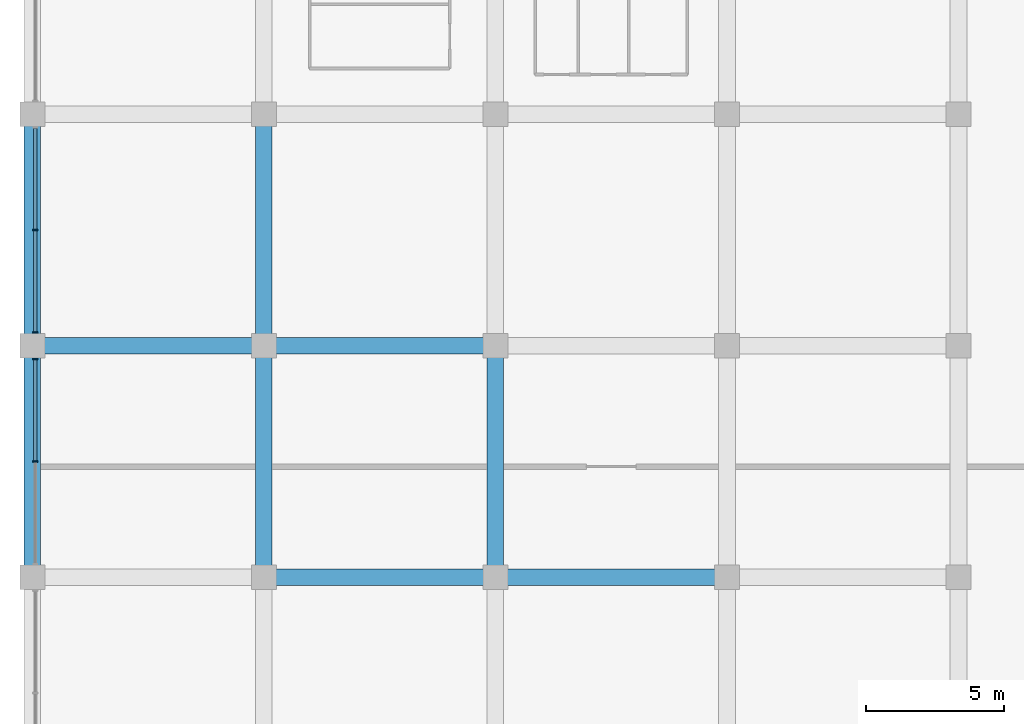
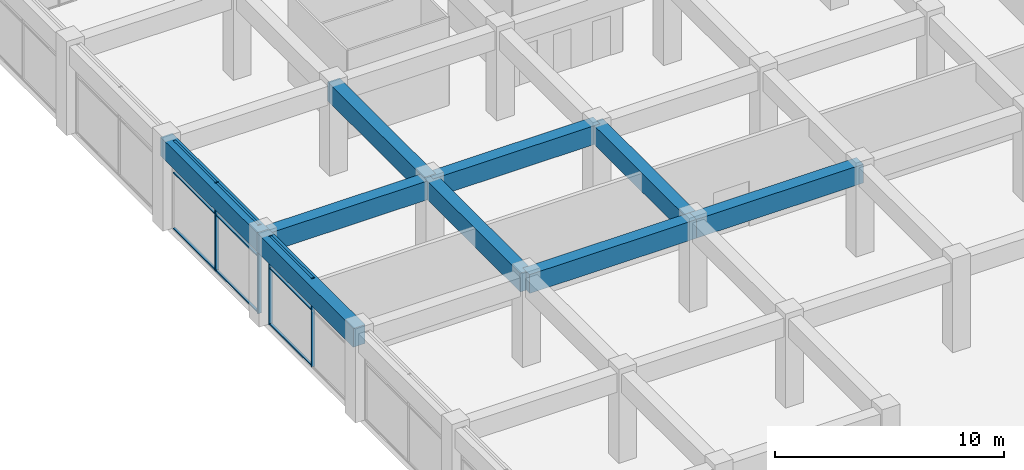
# One storey, part 9 of 34: 13 members, 9 beams, 2 elements without a shape of their own.
"""IFC4 building model written with IfcOpenShell, lengths in metres."""

from ifc_helpers import new_model, si_unit, direction, frame, origin, origin_2d, place, context, subcontext, project, spatial, rectangle, extrude, material, material_profile, profile_set, type_object, element, aggregate, save


model = new_model("IFC4")

# Units and contexts
model_context = context("Model", 3, precision=1e-05, world=origin(), true_north=direction((0.0, 1.0)))
body_context = subcontext(model_context, "Body", "Model", "MODEL_VIEW")
ifc_project = project(units=[si_unit("LENGTHUNIT", "METRE"), si_unit("AREAUNIT", "SQUARE_METRE"), si_unit("VOLUMEUNIT", "CUBIC_METRE"), si_unit("PLANEANGLEUNIT", "RADIAN"), si_unit("MASSUNIT", "GRAM", prefix="KILO")], contexts=[model_context])

# Site, building, storey
site_placement = place(None, origin())
site = spatial("IfcSite", under=ifc_project, at=site_placement, CompositionType="ELEMENT")
building_placement = place(site_placement, origin())
building = spatial("IfcBuilding", under=site, at=building_placement, Name="Impinga Residences", CompositionType="ELEMENT")
storey_placement = place(building_placement, frame((0.0, 0.0, 11.0)))
storey = spatial("IfcBuildingStorey", under=building, at=storey_placement, Name="L02", CompositionType="ELEMENT", Elevation=11.0)

# Curtain wall, members
ifc_material_1 = material(Name="Aluminium stick curtain wall", Category="aluminium")
curtain_wall_type = type_object("IfcCurtainWallType", Name="CW1 podium amenity curtain wall", PredefinedType="USERDEFINED", material=ifc_material_1)
curtain_wall_1_placement = place(storey_placement, origin())
curtain_wall_1 = element("IfcCurtainWall", 1, at=curtain_wall_1_placement, inside=storey, type_object=curtain_wall_type, Name="Curtain wall CW1 L02", ObjectType="STICK CURTAIN WALL", PredefinedType="USERDEFINED")
ifc_material_2 = material(Name="Aluminium mullion", Category="aluminium")
ifc_material_profile_1 = material_profile(ifc_material_2, rectangle(XDim=0.06005859375, YDim=0.179931640625, at=origin_2d()), Name="60x180 mullion")
ifc_profile_set_1 = profile_set([ifc_material_profile_1], Name="Aluminium mullion")
member_type_1 = type_object("IfcMemberType", Name="CW1-M mullion 60x180", PredefinedType="MULLION", material=ifc_profile_set_1)
member_1_placement = place(storey_placement, frame((-50.300048828125, 21.0, 0.0), z_axis=(0.0, 0.0, 1.0), x_axis=(0.0, 1.0, 0.0)))
member_1 = element("IfcMember", 2, at=member_1_placement, type_object=member_type_1, Name="CW1 mullion 2", PredefinedType="MULLION", context=body_context, shape_type="SweptSolid", body=[
    extrude(rectangle(XDim=0.06005859375, YDim=0.179931640625, at=origin_2d()), origin(), (0.0, 0.0, 1.0), 4.699951171875),
])
member_2_placement = place(storey_placement, frame((-50.300048828125, 24.717041015625, 0.0), z_axis=(0.0, 0.0, 1.0), x_axis=(0.0, 1.0, 0.0)))
member_2 = element("IfcMember", 3, at=member_2_placement, type_object=member_type_1, Name="CW1 mullion 3", PredefinedType="MULLION", context=body_context, shape_type="SweptSolid", body=[
    extrude(rectangle(XDim=0.06005859375, YDim=0.179931640625, at=origin_2d()), origin(), (0.0, 0.0, 1.0), 4.699951171875),
])

curtain_wall_2_placement = place(storey_placement, origin())
curtain_wall_2 = element("IfcCurtainWall", 4, at=curtain_wall_2_placement, inside=storey, type_object=curtain_wall_type, Name="Curtain wall CW1 L02", ObjectType="STICK CURTAIN WALL", PredefinedType="USERDEFINED")
member_3_placement = place(storey_placement, frame((-50.300048828125, 25.68310546875, 0.0), z_axis=(0.0, 0.0, 1.0), x_axis=(0.0, 1.0, 0.0)))
member_3 = element("IfcMember", 5, at=member_3_placement, type_object=member_type_1, Name="CW1 mullion 1", PredefinedType="MULLION", context=body_context, shape_type="SweptSolid", body=[
    extrude(rectangle(XDim=0.06005859375, YDim=0.179931640625, at=origin_2d()), origin(), (0.0, 0.0, 1.0), 4.699951171875),
])
member_4_placement = place(storey_placement, frame((-50.300048828125, 29.39990234375, 0.0), z_axis=(0.0, 0.0, 1.0), x_axis=(0.0, 1.0, 0.0)))
member_4 = element("IfcMember", 6, at=member_4_placement, type_object=member_type_1, Name="CW1 mullion 2", PredefinedType="MULLION", context=body_context, shape_type="SweptSolid", body=[
    extrude(rectangle(XDim=0.06005859375, YDim=0.179931640625, at=origin_2d()), origin(), (0.0, 0.0, 1.0), 4.699951171875),
])

# Member
ifc_material_3 = material(Name="Aluminium transom", Category="aluminium")
ifc_material_profile_2 = material_profile(ifc_material_3, rectangle(XDim=0.06005859375, YDim=0.1201171875, at=origin_2d()), Name="60x120 transom")
ifc_profile_set_2 = profile_set([ifc_material_profile_2], Name="Aluminium transom")
member_type_2 = type_object("IfcMemberType", Name="CW1-T transom 60x120", PredefinedType="USERDEFINED", material=ifc_profile_set_2)
member_5_placement = place(storey_placement, frame((-50.300048828125, 21.030029296875, 0.030029296875), z_axis=(0.0, 1.0, 0.0), x_axis=(0.0, 0.0, 1.0)))
member_5 = element("IfcMember", 7, at=member_5_placement, type_object=member_type_2, Name="CW1 transom 2.1", ObjectType="TRANSOM", PredefinedType="USERDEFINED", context=body_context, shape_type="SweptSolid", body=[
    extrude(rectangle(XDim=0.06005859375, YDim=0.1201171875, at=origin_2d()), origin(), (0.0, 0.0, 1.0), 3.656982421875),
])

member_6_placement = place(storey_placement, frame((-50.300048828125, 21.030029296875, 3.0), z_axis=(0.0, 1.0, 0.0), x_axis=(0.0, 0.0, 1.0)))
member_6 = element("IfcMember", 8, at=member_6_placement, type_object=member_type_2, Name="CW1 transom 2.2", ObjectType="TRANSOM", PredefinedType="USERDEFINED", context=body_context, shape_type="SweptSolid", body=[
    extrude(rectangle(XDim=0.06005859375, YDim=0.1201171875, at=origin_2d()), origin(), (0.0, 0.0, 1.0), 3.656982421875),
])

member_7_placement = place(storey_placement, frame((-50.300048828125, 21.030029296875, 4.669921875), z_axis=(0.0, 1.0, 0.0), x_axis=(0.0, 0.0, 1.0)))
member_7 = element("IfcMember", 9, at=member_7_placement, type_object=member_type_2, Name="CW1 transom 2.3", ObjectType="TRANSOM", PredefinedType="USERDEFINED", context=body_context, shape_type="SweptSolid", body=[
    extrude(rectangle(XDim=0.06005859375, YDim=0.1201171875, at=origin_2d()), origin(), (0.0, 0.0, 1.0), 3.656982421875),
])

aggregate(curtain_wall_1, [member_1, member_2, member_5, member_6, member_7])

member_8_placement = place(storey_placement, frame((-50.300048828125, 25.712890625, 0.030029296875), z_axis=(0.0, 1.0, 0.0), x_axis=(0.0, 0.0, 1.0)))
member_8 = element("IfcMember", 10, at=member_8_placement, type_object=member_type_2, Name="CW1 transom 1.1", ObjectType="TRANSOM", PredefinedType="USERDEFINED", context=body_context, shape_type="SweptSolid", body=[
    extrude(rectangle(XDim=0.06005859375, YDim=0.1201171875, at=origin_2d()), origin(), (0.0, 0.0, 1.0), 3.6572265625),
])

member_9_placement = place(storey_placement, frame((-50.300048828125, 25.712890625, 3.0), z_axis=(0.0, 1.0, 0.0), x_axis=(0.0, 0.0, 1.0)))
member_9 = element("IfcMember", 11, at=member_9_placement, type_object=member_type_2, Name="CW1 transom 1.2", ObjectType="TRANSOM", PredefinedType="USERDEFINED", context=body_context, shape_type="SweptSolid", body=[
    extrude(rectangle(XDim=0.06005859375, YDim=0.1201171875, at=origin_2d()), origin(), (0.0, 0.0, 1.0), 3.6572265625),
])

member_10_placement = place(storey_placement, frame((-50.300048828125, 25.712890625, 4.669921875), z_axis=(0.0, 1.0, 0.0), x_axis=(0.0, 0.0, 1.0)))
member_10 = element("IfcMember", 12, at=member_10_placement, type_object=member_type_2, Name="CW1 transom 1.3", ObjectType="TRANSOM", PredefinedType="USERDEFINED", context=body_context, shape_type="SweptSolid", body=[
    extrude(rectangle(XDim=0.06005859375, YDim=0.1201171875, at=origin_2d()), origin(), (0.0, 0.0, 1.0), 3.6572265625),
])

member_11_placement = place(storey_placement, frame((-50.300048828125, 29.429931640625, 0.030029296875), z_axis=(0.0, 1.0, 0.0), x_axis=(0.0, 0.0, 1.0)))
member_11 = element("IfcMember", 13, at=member_11_placement, type_object=member_type_2, Name="CW1 transom 2.1", ObjectType="TRANSOM", PredefinedType="USERDEFINED", context=body_context, shape_type="SweptSolid", body=[
    extrude(rectangle(XDim=0.06005859375, YDim=0.1201171875, at=origin_2d()), origin(), (0.0, 0.0, 1.0), 3.656982421875),
])

member_12_placement = place(storey_placement, frame((-50.300048828125, 29.429931640625, 3.0), z_axis=(0.0, 1.0, 0.0), x_axis=(0.0, 0.0, 1.0)))
member_12 = element("IfcMember", 14, at=member_12_placement, type_object=member_type_2, Name="CW1 transom 2.2", ObjectType="TRANSOM", PredefinedType="USERDEFINED", context=body_context, shape_type="SweptSolid", body=[
    extrude(rectangle(XDim=0.06005859375, YDim=0.1201171875, at=origin_2d()), origin(), (0.0, 0.0, 1.0), 3.656982421875),
])

member_13_placement = place(storey_placement, frame((-50.300048828125, 29.429931640625, 4.669921875), z_axis=(0.0, 1.0, 0.0), x_axis=(0.0, 0.0, 1.0)))
member_13 = element("IfcMember", 15, at=member_13_placement, type_object=member_type_2, Name="CW1 transom 2.3", ObjectType="TRANSOM", PredefinedType="USERDEFINED", context=body_context, shape_type="SweptSolid", body=[
    extrude(rectangle(XDim=0.06005859375, YDim=0.1201171875, at=origin_2d()), origin(), (0.0, 0.0, 1.0), 3.656982421875),
])

aggregate(curtain_wall_2, [member_3, member_4, member_8, member_9, member_10, member_11, member_12, member_13])

# Beams
ifc_material_4 = material(Name="Concrete C60/75", Category="concrete")
ifc_material_profile_3 = material_profile(ifc_material_4, rectangle(XDim=0.60009765625, YDim=1.0, at=origin_2d()), Name="RC 600x1000")
ifc_profile_set_3 = profile_set([ifc_material_profile_3], Name="Concrete C60/75")
beam_type = type_object("IfcBeamType", Name="PB2 600x1000 podium beam", PredefinedType="BEAM", material=ifc_profile_set_3)
beam_1_placement = place(storey_placement, frame((-42.0, 16.800048828125, 4.199951171875), z_axis=(1.0, 0.0, 0.0), x_axis=(0.0, 1.0, 0.0)))
element("IfcBeam", 16, at=beam_1_placement, inside=storey, type_object=beam_type, Name="Beam PB2 H/2-3 level L03", PredefinedType="BEAM", context=body_context, shape_type="SweptSolid", body=[
    extrude(rectangle(XDim=0.60009765625, YDim=1.0, at=origin_2d()), origin(), (0.0, 0.0, 1.0), 8.39990234375),
])
beam_2_placement = place(storey_placement, frame((-33.60009765625, 16.800048828125, 4.199951171875), z_axis=(1.0, 0.0, 0.0), x_axis=(0.0, 1.0, 0.0)))
element("IfcBeam", 17, at=beam_2_placement, inside=storey, type_object=beam_type, Name="Beam PB2 H/3-4 level L03", PredefinedType="BEAM", context=body_context, shape_type="SweptSolid", body=[
    extrude(rectangle(XDim=0.60009765625, YDim=1.0, at=origin_2d()), origin(), (0.0, 0.0, 1.0), 8.400146484375),
])
for number, where, z_axis, x_axis, name in (
    (18, (-50.39990234375, 25.199951171875, 4.199951171875), (1.0, 0.0, 0.0), (0.0, 1.0, 0.0), "Beam PB2 J/1-2 level L03"),
    (19, (-42.0, 25.199951171875, 4.199951171875), (1.0, 0.0, 0.0), (0.0, 1.0, 0.0), "Beam PB2 J/2-3 level L03"),
    (20, (-50.39990234375, 16.800048828125, 4.199951171875), (0.0, 1.0, 0.0), (-1.0, 0.0, 0.0), "Beam PB2 1/H-J level L03"),
):
    element("IfcBeam", number, at=place(storey_placement, frame(where, z_axis=z_axis, x_axis=x_axis)), inside=storey, type_object=beam_type, Name=name, PredefinedType="BEAM", context=body_context, shape_type="SweptSolid", body=[
        extrude(rectangle(XDim=0.60009765625, YDim=1.0, at=origin_2d()), origin(), (0.0, 0.0, 1.0), 8.39990234375),
    ])
beam_3_placement = place(storey_placement, frame((-50.39990234375, 25.199951171875, 4.199951171875), z_axis=(0.0, 1.0, 0.0), x_axis=(-1.0, 0.0, 0.0)))
element("IfcBeam", 21, at=beam_3_placement, inside=storey, type_object=beam_type, Name="Beam PB2 1/J-K level L03", PredefinedType="BEAM", context=body_context, shape_type="SweptSolid", body=[
    extrude(rectangle(XDim=0.60009765625, YDim=1.0, at=origin_2d()), origin(), (0.0, 0.0, 1.0), 8.400146484375),
])
beam_4_placement = place(storey_placement, frame((-42.0, 16.800048828125, 4.199951171875), z_axis=(0.0, 1.0, 0.0), x_axis=(-1.0, 0.0, 0.0)))
element("IfcBeam", 22, at=beam_4_placement, inside=storey, type_object=beam_type, Name="Beam PB2 2/H-J level L03", PredefinedType="BEAM", context=body_context, shape_type="SweptSolid", body=[
    extrude(rectangle(XDim=0.60009765625, YDim=1.0, at=origin_2d()), origin(), (0.0, 0.0, 1.0), 8.39990234375),
])
beam_5_placement = place(storey_placement, frame((-42.0, 25.199951171875, 4.199951171875), z_axis=(0.0, 1.0, 0.0), x_axis=(-1.0, 0.0, 0.0)))
element("IfcBeam", 23, at=beam_5_placement, inside=storey, type_object=beam_type, Name="Beam PB2 2/J-K level L03", PredefinedType="BEAM", context=body_context, shape_type="SweptSolid", body=[
    extrude(rectangle(XDim=0.60009765625, YDim=1.0, at=origin_2d()), origin(), (0.0, 0.0, 1.0), 8.400146484375),
])
beam_6_placement = place(storey_placement, frame((-33.60009765625, 16.800048828125, 4.199951171875), z_axis=(0.0, 1.0, 0.0), x_axis=(-1.0, 0.0, 0.0)))
element("IfcBeam", 24, at=beam_6_placement, inside=storey, type_object=beam_type, Name="Beam PB2 3/H-J level L03", PredefinedType="BEAM", context=body_context, shape_type="SweptSolid", body=[
    extrude(rectangle(XDim=0.60009765625, YDim=1.0, at=origin_2d()), origin(), (0.0, 0.0, 1.0), 8.39990234375),
])

save(model, "model.ifc")
